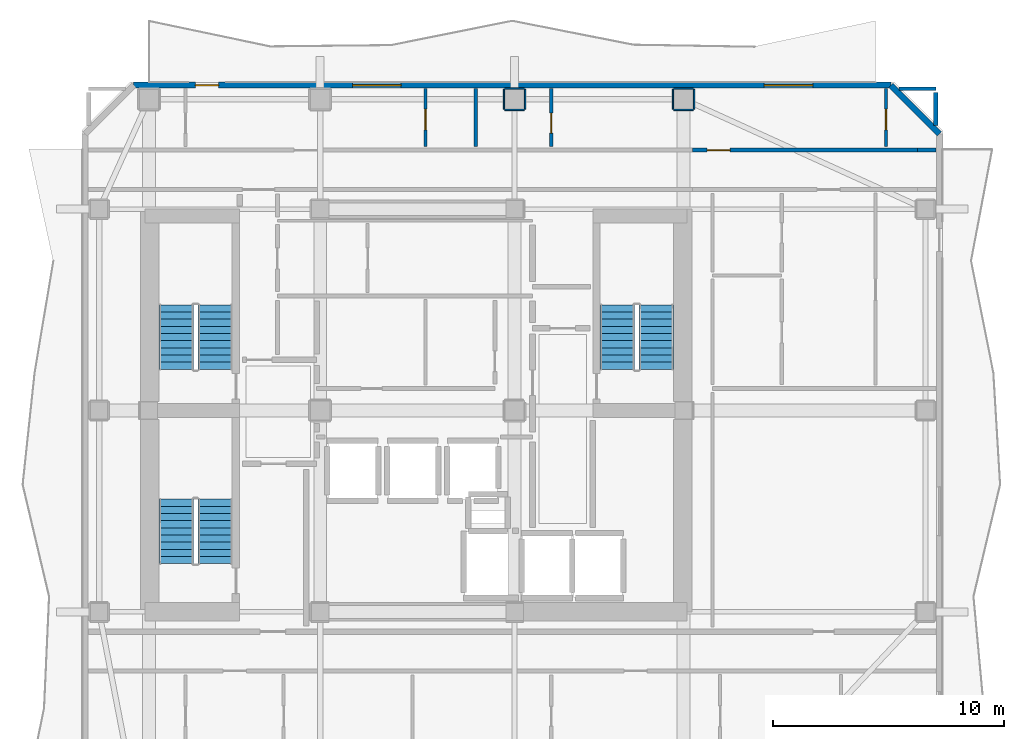
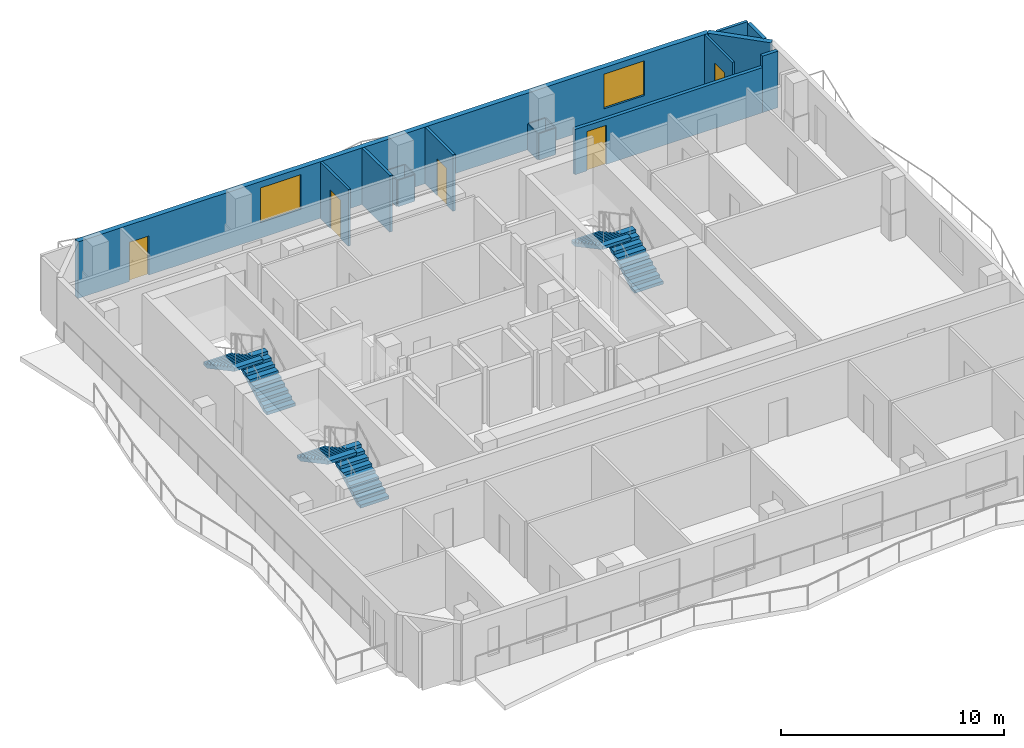
# One storey, part 6 of 9: 18 walls, 6 stair flights, 5 doors, 2 windows, 7 openings, 3 elements without a shape of their own.
"""IFC4 building model written with IfcOpenShell, lengths in metres."""

from ifc_helpers import new_model, si_unit, direction, frame, frame_2d, origin, place, context, subcontext, project, spatial, polyline, rectangle, outline, extrude, material, layer, layer_set, type_object, element, fill, aggregate, save


model = new_model("IFC4")

# Units and contexts
model_context = context("Model", 3, precision=1e-05, world=origin(), true_north=direction((0.0, 1.0)))
body_context = subcontext(model_context, "Body", "Model", "MODEL_VIEW")
ifc_project = project(units=[si_unit("LENGTHUNIT", "METRE"), si_unit("AREAUNIT", "SQUARE_METRE"), si_unit("VOLUMEUNIT", "CUBIC_METRE"), si_unit("PLANEANGLEUNIT", "RADIAN"), si_unit("MASSUNIT", "GRAM", prefix="KILO")], contexts=[model_context])

# Site, building, storey
site_placement = place(None, origin())
site = spatial("IfcSite", under=ifc_project, at=site_placement, CompositionType="ELEMENT")
building_placement = place(site_placement, origin())
building = spatial("IfcBuilding", under=site, at=building_placement, Name="Solanera Arch Residences", CompositionType="ELEMENT")
storey_placement = place(building_placement, frame((0.0, 0.0, 213.39990234375)))
storey = spatial("IfcBuildingStorey", under=building, at=storey_placement, Name="L62", CompositionType="ELEMENT", Elevation=213.39990234375)

# Walls
ifc_material_1 = material(Name="Fire-Rated Gypsum Stud Partition", Category="gypsum")
ifc_layer_1 = layer(ifc_material_1, 0.06005859375)
ifc_layer_set_1 = layer_set([ifc_layer_1], Name="Fire-Rated Gypsum Stud Partition")
wall_type_1 = type_object("IfcWallType", Name="Column Acoustic Furring Wall 60", PredefinedType="PARTITIONING", material=ifc_layer_set_1)
for number, where, z_axis, x_axis, name in (
    (1, (28.77490234375, 43.693115234375, 0.0), (0.0, 0.0, 1.0), (1.0, 0.0, 0.0), "L62 Column Furring 14S"),
    (2, (28.77490234375, 44.60693359375, 0.0), (0.0, 0.0, 1.0), (1.0, 0.0, 0.0), "L62 Column Furring 14N"),
):
    element("IfcWall", number, at=place(storey_placement, frame(where, z_axis=z_axis, x_axis=x_axis)), inside=storey, type_object=wall_type_1, Name=name, PredefinedType="PARTITIONING", context=body_context, shape_type="SweptSolid", body=[
        extrude(rectangle(XDim=0.85009765625, YDim=0.06005859375, at=frame_2d((0.425048828125, 0.0))), origin(), (0.0, 0.0, 1.0), 1.4501953125),
    ])
for number, where, z_axis, x_axis, name in (
    (3, (28.742919921875, 43.72509765625, 0.0), (0.0, 0.0, 1.0), (0.0, 1.0, 0.0), "L62 Column Furring 14W"),
    (4, (29.656982421875, 43.72509765625, 0.0), (0.0, 0.0, 1.0), (0.0, 1.0, 0.0), "L62 Column Furring 14E"),
):
    element("IfcWall", number, at=place(storey_placement, frame(where, z_axis=z_axis, x_axis=x_axis)), inside=storey, type_object=wall_type_1, Name=name, PredefinedType="PARTITIONING", context=body_context, shape_type="SweptSolid", body=[
        extrude(rectangle(XDim=0.849853515625, YDim=0.06005859375, at=frame_2d((0.4248046875, 0.0))), origin(), (0.0, 0.0, 1.0), 1.4501953125),
    ])
for number, where, z_axis, x_axis, name in (
    (5, (36.074951171875, 43.693115234375, 0.0), (0.0, 0.0, 1.0), (1.0, 0.0, 0.0), "L62 Column Furring 16S"),
    (6, (36.074951171875, 44.60693359375, 0.0), (0.0, 0.0, 1.0), (1.0, 0.0, 0.0), "L62 Column Furring 16N"),
):
    element("IfcWall", number, at=place(storey_placement, frame(where, z_axis=z_axis, x_axis=x_axis)), inside=storey, type_object=wall_type_1, Name=name, PredefinedType="PARTITIONING", context=body_context, shape_type="SweptSolid", body=[
        extrude(rectangle(XDim=0.85009765625, YDim=0.06005859375, at=frame_2d((0.425048828125, 0.0))), origin(), (0.0, 0.0, 1.0), 1.4501953125),
    ])
for number, where, z_axis, x_axis, name in (
    (7, (36.04296875, 43.72509765625, 0.0), (0.0, 0.0, 1.0), (0.0, 1.0, 0.0), "L62 Column Furring 16W"),
    (8, (36.95703125, 43.72509765625, 0.0), (0.0, 0.0, 1.0), (0.0, 1.0, 0.0), "L62 Column Furring 16E"),
):
    element("IfcWall", number, at=place(storey_placement, frame(where, z_axis=z_axis, x_axis=x_axis)), inside=storey, type_object=wall_type_1, Name=name, PredefinedType="PARTITIONING", context=body_context, shape_type="SweptSolid", body=[
        extrude(rectangle(XDim=0.849853515625, YDim=0.06005859375, at=frame_2d((0.4248046875, 0.0))), origin(), (0.0, 0.0, 1.0), 1.4501953125),
    ])

# Wall, opening, door
ifc_material_2 = material(Name="Autoclaved Aerated Concrete Blockwork", Category="masonry")
ifc_layer_2 = layer(ifc_material_2, 0.179931640625)
ifc_layer_set_2 = layer_set([ifc_layer_2], Name="Autoclaved Aerated Concrete Blockwork")
wall_type_2 = type_object("IfcWallType", Name="Corridor Fire Partition 180", PredefinedType="PARTITIONING", material=ifc_layer_set_2)
wall_1_placement = place(storey_placement, frame((36.888916015625, 41.949951171875, 0.0), z_axis=(0.0, 0.0, 1.0), x_axis=(1.0, 0.0, 0.0)))
wall_1 = element("IfcWall", 9, at=wall_1_placement, inside=storey, type_object=wall_type_2, Name="L62 Interior Partition H13 2", PredefinedType="PARTITIONING", context=body_context, shape_type="SweptSolid", body=[
    extrude(rectangle(XDim=9.72216796875, YDim=0.179931640625, at=frame_2d((4.861083984375, 0.0))), origin(), (0.0, 0.0, 1.0), 2.47705078125),
])
opening_1_placement = place(wall_1_placement, frame((0.6259765625, 0.0, 0.0)))
opening_1 = element("IfcOpeningElement", 10, at=opening_1_placement, cuts=wall_1, Name="Opening DI-01", PredefinedType="OPENING", context=body_context, shape_type="SweptSolid", body=[
    extrude(rectangle(XDim=1.0, YDim=2.14990234375, at=frame_2d((0.5, 1.074951171875))), frame((0.0, 0.10009765625, 0.0), z_axis=(0.0, -1.0, 0.0), x_axis=(1.0, 0.0, 0.0)), (0.0, 0.0, 1.0), 0.1999),
])
ifc_material_3 = material(Name="Fire-Rated Architectural Hardwood", Category="wood")
door_type_1 = type_object("IfcDoorType", Name="Unit Entrance Fire Door DI-01", OperationType="NOTDEFINED", PredefinedType="DOOR", material=ifc_material_3)
door_1_placement = place(opening_1_placement, origin())
door_1 = element("IfcDoor", 11, at=door_1_placement, inside=storey, type_object=door_type_1, Name="DR-L62-IN-029", OperationType="SINGLE_SWING_RIGHT", OverallHeight=2.14990234375, OverallWidth=1.0, PredefinedType="DOOR", context=body_context, shape_type="SweptSolid", body=[
    extrude(rectangle(XDim=1.0, YDim=2.14990234375, at=frame_2d((0.5, 1.074951171875))), frame((0.0, 0.02490234375, 0.0), z_axis=(0.0, -1.0, 0.0), x_axis=(1.0, 0.0, 0.0)), (0.0, 0.0, 1.0), 0.050048828125),
])
fill(opening_1, door_1)

# Walls
wall_2_placement = place(storey_placement, frame((46.611083984375, 41.949951171875, 0.0), z_axis=(0.0, 0.0, 1.0), x_axis=(1.0, 0.0, 0.0)))
element("IfcWall", 12, at=wall_2_placement, inside=storey, type_object=wall_type_2, Name="L62 Interior Partition H13 3", PredefinedType="PARTITIONING", context=body_context, shape_type="SweptSolid", body=[
    extrude(rectangle(XDim=0.802001953125, YDim=0.179931640625, at=frame_2d((0.40087890625, 0.0))), origin(), (0.0, 0.0, 1.0), 3.10009765625),
])
wall_3_placement = place(storey_placement, frame((47.39990234375, 43.010986328125, 0.0), z_axis=(0.0, 0.0, 1.0), x_axis=(0.0, 1.0, 0.0)))
element("IfcWall", 13, at=wall_3_placement, inside=storey, type_object=wall_type_2, Name="L62 Interior Partition V10 2", PredefinedType="PARTITIONING", context=body_context, shape_type="SweptSolid", body=[
    extrude(rectangle(XDim=1.4208984375, YDim=0.179931640625, at=frame_2d((0.71044921875, 0.0))), origin(), (0.0, 0.0, 1.0), 3.10009765625),
])

# Wall, openings, door, windows
ifc_material_4 = material(Name="Precast Concrete C35/45", Category="concrete")
ifc_layer_3 = layer(ifc_material_4, 0.260009765625)
ifc_layer_set_3 = layer_set([ifc_layer_3], Name="Precast Concrete C35/45")
wall_type_3 = type_object("IfcWallType", Name="Exterior Wall Precast Masonry-Frame 260", PredefinedType="STANDARD", material=ifc_layer_set_3)
wall_4_placement = place(storey_placement, frame((12.7451171875, 44.7548828125, 0.0), z_axis=(0.0, 0.0, 1.0), x_axis=(1.0, 0.0, 0.0)))
wall_4 = element("IfcWall", 14, at=wall_4_placement, inside=storey, type_object=wall_type_3, Name="L62 Tower Exterior Precast Masonry-Frame Wall N", PredefinedType="STANDARD", context=body_context, shape_type="SweptSolid", body=[
    extrude(rectangle(XDim=32.7099609375, YDim=0.260009765625, at=frame_2d((16.35498046875, 0.0))), origin(), (0.0, 0.0, 1.0), 3.10009765625),
])
opening_2_placement = place(wall_4_placement, frame((2.6650390625, 0.0, 0.0)))
opening_2 = element("IfcOpeningElement", 15, at=opening_2_placement, cuts=wall_4, Name="Opening DB-01", PredefinedType="OPENING", context=body_context, shape_type="SweptSolid", body=[
    extrude(rectangle(XDim=1.0, YDim=2.14990234375, at=frame_2d((0.5, 1.074951171875))), frame((0.0, 0.139892578125, 0.0), z_axis=(0.0, -1.0, 0.0), x_axis=(1.0, 0.0, 0.0)), (0.0, 0.0, 1.0), 0.28),
])
opening_3_placement = place(wall_4_placement, frame((9.452880859375, 0.0, 0.85009765625)))
opening_3 = element("IfcOpeningElement", 16, at=opening_3_placement, cuts=wall_4, Name="Opening W-04", PredefinedType="OPENING", context=body_context, shape_type="SweptSolid", body=[
    extrude(rectangle(XDim=2.10009765625, YDim=1.89990234375, at=frame_2d((1.050048828125, 0.949951171875))), frame((0.0, 0.139892578125, 0.0), z_axis=(0.0, -1.0, 0.0), x_axis=(1.0, 0.0, 0.0)), (0.0, 0.0, 1.0), 0.28),
])
opening_4_placement = place(wall_4_placement, frame((27.241943359375, 0.0, 0.85009765625)))
opening_4 = element("IfcOpeningElement", 17, at=opening_4_placement, cuts=wall_4, Name="Opening W-04", PredefinedType="OPENING", context=body_context, shape_type="SweptSolid", body=[
    extrude(rectangle(XDim=2.10009765625, YDim=1.89990234375, at=frame_2d((1.050048828125, 0.949951171875))), frame((0.0, 0.139892578125, 0.0), z_axis=(0.0, -1.0, 0.0), x_axis=(1.0, 0.0, 0.0)), (0.0, 0.0, 1.0), 0.28),
])
ifc_material_5 = material(Name="Anodised Aluminium Alloy 6063-T6", Category="aluminium")
door_type_2 = type_object("IfcDoorType", Name="Glazed Balcony Swing Door DB-01", OperationType="NOTDEFINED", PredefinedType="DOOR", material=ifc_material_5)
door_2_placement = place(opening_2_placement, origin())
door_2 = element("IfcDoor", 18, at=door_2_placement, inside=storey, type_object=door_type_2, Name="DR-L62-OUT-02", OperationType="SINGLE_SWING_LEFT", OverallHeight=2.14990234375, OverallWidth=1.0, PredefinedType="DOOR", context=body_context, shape_type="SweptSolid", body=[
    extrude(rectangle(XDim=1.0, YDim=2.14990234375, at=frame_2d((0.5, 1.074951171875))), frame((0.0, 0.02490234375, 0.0), z_axis=(0.0, -1.0, 0.0), x_axis=(1.0, 0.0, 0.0)), (0.0, 0.0, 1.0), 0.050048828125),
])
fill(opening_2, door_2)
ifc_material_6 = material(Name="Double Glazed Low-E Laminated Glass", Category="glass")
window_type = type_object("IfcWindowType", Name="Punched Window W-04", PartitioningType="DOUBLE_PANEL_VERTICAL", PredefinedType="WINDOW", material=ifc_material_6)
window_1_placement = place(opening_3_placement, origin())
window_1 = element("IfcWindow", 19, at=window_1_placement, inside=storey, type_object=window_type, Name="L62 6203-LIV Punched Window", OverallHeight=1.89990234375, OverallWidth=2.10009765625, PartitioningType="SINGLE_PANEL", PredefinedType="WINDOW", context=body_context, shape_type="SweptSolid", body=[
    extrude(rectangle(XDim=2.10009765625, YDim=1.89990234375, at=frame_2d((1.050048828125, 0.949951171875))), frame((0.0, 0.030029296875, 0.0), z_axis=(0.0, -1.0, 0.0), x_axis=(1.0, 0.0, 0.0)), (0.0, 0.0, 1.0), 0.06005859375),
])
fill(opening_3, window_1)
window_2_placement = place(opening_4_placement, origin())
window_2 = element("IfcWindow", 20, at=window_2_placement, inside=storey, type_object=window_type, Name="L62 6204-LIV Punched Window", OverallHeight=1.89990234375, OverallWidth=2.10009765625, PartitioningType="SINGLE_PANEL", PredefinedType="WINDOW", context=body_context, shape_type="SweptSolid", body=[
    extrude(rectangle(XDim=2.10009765625, YDim=1.89990234375, at=frame_2d((1.050048828125, 0.949951171875))), frame((0.0, 0.030029296875, 0.0), z_axis=(0.0, -1.0, 0.0), x_axis=(1.0, 0.0, 0.0)), (0.0, 0.0, 1.0), 0.06005859375),
])
fill(opening_4, window_2)

# Wall
wall_5_placement = place(storey_placement, frame((45.455078125, 44.7548828125, 0.0), z_axis=(0.0, 0.0, 1.0), x_axis=(0.707106781187, -0.707106781187, 0.0)))
element("IfcWall", 21, at=wall_5_placement, inside=storey, type_object=wall_type_3, Name="L62 Tower Exterior Precast Masonry-Frame Wall CH3", PredefinedType="STANDARD", context=body_context, shape_type="SweptSolid", body=[
    extrude(rectangle(XDim=2.9697265625, YDim=0.260009765625, at=frame_2d((1.48486328125, 0.0))), origin(), (0.0, 0.0, 1.0), 3.10009765625),
])

# Wall, opening, door
ifc_material_7 = material(Name="Fire-Rated Gypsum Stud Partition", Category="gypsum")
ifc_layer_4 = layer(ifc_material_7, 0.1201171875)
ifc_layer_set_4 = layer_set([ifc_layer_4], Name="Fire-Rated Gypsum Stud Partition")
wall_type_4 = type_object("IfcWallType", Name="Unit Drywall Partition 120", PredefinedType="PARTITIONING", material=ifc_layer_set_4)
wall_6_placement = place(storey_placement, frame((25.35009765625, 42.10791015625, 0.0), z_axis=(0.0, 0.0, 1.0), x_axis=(0.0, 1.0, 0.0)))
wall_6 = element("IfcWall", 22, at=wall_6_placement, inside=storey, type_object=wall_type_4, Name="L62 Interior Partition V22", PredefinedType="PARTITIONING", context=body_context, shape_type="SweptSolid", body=[
    extrude(rectangle(XDim=2.505126953125, YDim=0.1201171875, at=frame_2d((1.25244140625, 0.0))), origin(), (0.0, 0.0, 1.0), 3.10009765625),
])
opening_5_placement = place(wall_6_placement, frame((0.717041015625, 0.0, 0.0)))
opening_5 = element("IfcOpeningElement", 23, at=opening_5_placement, cuts=wall_6, Name="Opening DI-02", PredefinedType="OPENING", context=body_context, shape_type="SweptSolid", body=[
    extrude(rectangle(XDim=0.89990234375, YDim=2.10009765625, at=frame_2d((0.449951171875, 1.050048828125))), frame((0.0, 0.070068359375, 0.0), z_axis=(0.0, -1.0, 0.0), x_axis=(1.0, 0.0, 0.0)), (0.0, 0.0, 1.0), 0.1401),
])
ifc_material_8 = material(Name="Fire-Rated Architectural Hardwood", Category="wood")
door_type_3 = type_object("IfcDoorType", Name="Suite Room Swing Door DI-02", OperationType="NOTDEFINED", PredefinedType="DOOR", material=ifc_material_8)
door_3_placement = place(opening_5_placement, origin())
door_3 = element("IfcDoor", 24, at=door_3_placement, inside=storey, type_object=door_type_3, Name="DR-L62-IN-028", OperationType="SINGLE_SWING_LEFT", OverallHeight=2.10009765625, OverallWidth=0.89990234375, PredefinedType="DOOR", context=body_context, shape_type="SweptSolid", body=[
    extrude(rectangle(XDim=0.89990234375, YDim=2.10009765625, at=frame_2d((0.449951171875, 1.050048828125))), frame((0.0, 0.02490234375, 0.0), z_axis=(0.0, -1.0, 0.0), x_axis=(1.0, 0.0, 0.0)), (0.0, 0.0, 1.0), 0.050048828125),
])
fill(opening_5, door_3)

wall_7_placement = place(storey_placement, frame((45.25, 42.10791015625, 0.0), z_axis=(0.0, 0.0, 1.0), x_axis=(0.0, 1.0, 0.0)))
wall_7 = element("IfcWall", 25, at=wall_7_placement, inside=storey, type_object=wall_type_4, Name="L62 Interior Partition V26", PredefinedType="PARTITIONING", context=body_context, shape_type="SweptSolid", body=[
    extrude(rectangle(XDim=2.505126953125, YDim=0.1201171875, at=frame_2d((1.25244140625, 0.0))), origin(), (0.0, 0.0, 1.0), 3.10009765625),
])
opening_6_placement = place(wall_7_placement, frame((0.717041015625, 0.0, 0.0)))
opening_6 = element("IfcOpeningElement", 26, at=opening_6_placement, cuts=wall_7, Name="Opening DI-02", PredefinedType="OPENING", context=body_context, shape_type="SweptSolid", body=[
    extrude(rectangle(XDim=0.89990234375, YDim=2.10009765625, at=frame_2d((0.449951171875, 1.050048828125))), frame((0.0, 0.070068359375, 0.0), z_axis=(0.0, -1.0, 0.0), x_axis=(1.0, 0.0, 0.0)), (0.0, 0.0, 1.0), 0.1401),
])
door_4_placement = place(opening_6_placement, origin())
door_4 = element("IfcDoor", 27, at=door_4_placement, inside=storey, type_object=door_type_3, Name="DR-L62-IN-031", OperationType="SINGLE_SWING_RIGHT", OverallHeight=2.10009765625, OverallWidth=0.89990234375, PredefinedType="DOOR", context=body_context, shape_type="SweptSolid", body=[
    extrude(rectangle(XDim=0.89990234375, YDim=2.10009765625, at=frame_2d((0.449951171875, 1.050048828125))), frame((0.0, 0.02490234375, 0.0), z_axis=(0.0, -1.0, 0.0), x_axis=(1.0, 0.0, 0.0)), (0.0, 0.0, 1.0), 0.050048828125),
])
fill(opening_6, door_4)

# Walls
ifc_material_9 = material(Name="Autoclaved Aerated Concrete Blockwork", Category="masonry")
ifc_layer_5 = layer(ifc_material_9, 0.139892578125)
ifc_layer_set_5 = layer_set([ifc_layer_5], Name="Autoclaved Aerated Concrete Blockwork")
wall_type_5 = type_object("IfcWallType", Name="Wet-Room Partition 140", PredefinedType="PARTITIONING", material=ifc_layer_set_5)
wall_8_placement = place(storey_placement, frame((45.81103515625, 44.60009765625, 0.0), z_axis=(0.0, 0.0, 1.0), x_axis=(1.0, 0.0, 0.0)))
element("IfcWall", 28, at=wall_8_placement, inside=storey, type_object=wall_type_5, Name="L62 Interior Partition H18 2", PredefinedType="PARTITIONING", context=body_context, shape_type="SweptSolid", body=[
    extrude(rectangle(XDim=1.5888671875, YDim=0.139892578125, at=frame_2d((0.79443359375, 0.0))), origin(), (0.0, 0.0, 1.0), 3.10009765625),
])
wall_9_placement = place(storey_placement, frame((27.52001953125, 42.117919921875, 0.0), z_axis=(0.0, 0.0, 1.0), x_axis=(0.0, 1.0, 0.0)))
element("IfcWall", 29, at=wall_9_placement, inside=storey, type_object=wall_type_5, Name="L62 Interior Partition V14", PredefinedType="PARTITIONING", context=body_context, shape_type="SweptSolid", body=[
    extrude(rectangle(XDim=2.4951171875, YDim=0.139892578125, at=frame_2d((1.24755859375, 0.0))), origin(), (0.0, 0.0, 1.0), 3.10009765625),
])

# Wall, opening, door
wall_10_placement = place(storey_placement, frame((30.780029296875, 42.117919921875, 0.0), z_axis=(0.0, 0.0, 1.0), x_axis=(0.0, 1.0, 0.0)))
wall_10 = element("IfcWall", 30, at=wall_10_placement, inside=storey, type_object=wall_type_5, Name="L62 Interior Partition V16", PredefinedType="PARTITIONING", context=body_context, shape_type="SweptSolid", body=[
    extrude(rectangle(XDim=2.4951171875, YDim=0.139892578125, at=frame_2d((1.24755859375, 0.0))), origin(), (0.0, 0.0, 1.0), 3.10009765625),
])
opening_7_placement = place(wall_10_placement, frame((0.56689453125, 0.0, 0.0)))
opening_7 = element("IfcOpeningElement", 31, at=opening_7_placement, cuts=wall_10, Name="Opening DI-05", PredefinedType="OPENING", context=body_context, shape_type="SweptSolid", body=[
    extrude(rectangle(XDim=0.860107421875, YDim=2.02001953125, at=frame_2d((0.43017578125, 1.010009765625))), frame((0.0, 0.079833984375, 0.0), z_axis=(0.0, -1.0, 0.0), x_axis=(1.0, 0.0, 0.0)), (0.0, 0.0, 1.0), 0.1599),
])
ifc_material_10 = material(Name="Fire-Rated Architectural Hardwood", Category="wood")
door_type_4 = type_object("IfcDoorType", Name="Bathroom Swing Door DI-05", OperationType="NOTDEFINED", PredefinedType="DOOR", material=ifc_material_10)
door_5_placement = place(opening_7_placement, origin())
door_5 = element("IfcDoor", 32, at=door_5_placement, inside=storey, type_object=door_type_4, Name="DR-L62-IN-030", OperationType="SINGLE_SWING_LEFT", OverallHeight=2.02001953125, OverallWidth=0.860107421875, PredefinedType="DOOR", context=body_context, shape_type="SweptSolid", body=[
    extrude(rectangle(XDim=0.860107421875, YDim=2.02001953125, at=frame_2d((0.43017578125, 1.010009765625))), frame((0.0, 0.02490234375, 0.0), z_axis=(0.0, -1.0, 0.0), x_axis=(1.0, 0.0, 0.0)), (0.0, 0.0, 1.0), 0.050048828125),
])
fill(opening_7, door_5)

# Stair, stair flights
ifc_material_11 = material(Name="Concrete C40/50 (f'c = 45 MPa)", Category="concrete")
stair_type = type_object("IfcStairType", Name="Tower Dogleg Exit Stair 1480", PredefinedType="HALF_TURN_STAIR", material=ifc_material_11)
stair_1_placement = place(storey_placement, origin())
stair_1 = element("IfcStair", 33, at=stair_1_placement, inside=storey, type_object=stair_type, Name="L62 Tower Core Exit Stair 1", PredefinedType="HALF_TURN_STAIR")
ifc_material_12 = material(Name="Concrete C40/50 (f'c = 45 MPa)", Category="concrete")
stair_flight_type = type_object("IfcStairFlightType", Name="Tower Precast Stair Flight 1480", PredefinedType="STRAIGHT", material=ifc_material_12)
stair_flight_1_placement = place(storey_placement, frame((16.260009765625, 32.47998046875, 0.0), z_axis=(0.0, 0.0, 1.0), x_axis=(0.0, 1.0, 0.0)))
stair_flight_1 = element("IfcStairFlight", 34, at=stair_flight_1_placement, type_object=stair_flight_type, Name="ST-T1 flight 1", NumberOfRisers=10, NumberOfTreads=9, PredefinedType="STRAIGHT", RiserHeight=0.166, TreadLength=0.31, context=body_context, shape_type="SweptSolid", body=[
    extrude(outline(polyline([(0.0, 0.0), (0.0, 0.166015625), (0.31005859375, 0.166015625), (0.31005859375, 0.33203125), (0.6201171875, 0.33203125), (0.6201171875, 0.498046875), (0.929931640625, 0.498046875), (0.929931640625, 0.6640625), (1.239990234375, 0.6640625), (1.239990234375, 0.830078125), (1.550048828125, 0.830078125), (1.550048828125, 0.99609375), (1.860107421875, 0.99609375), (1.860107421875, 1.162109375), (2.169921875, 1.162109375), (2.169921875, 1.327880859375), (2.47998046875, 1.327880859375), (2.47998046875, 1.493896484375), (2.7900390625, 1.493896484375), (2.7900390625, 1.659912109375), (2.7900390625, 1.323974609375), (0.317626953125, 0.0), (0.0, 0.0)])), frame((0.0, 0.739990234375, 0.0), z_axis=(0.0, -1.0, 0.0), x_axis=(1.0, 0.0, 0.0)), (0.0, 0.0, 1.0), 1.47998046875),
])
stair_flight_2_placement = place(storey_placement, frame((14.580078125, 35.27001953125, 1.66015625), z_axis=(0.0, 0.0, 1.0), x_axis=(0.0, -1.0, 0.0)))
stair_flight_2 = element("IfcStairFlight", 35, at=stair_flight_2_placement, type_object=stair_flight_type, Name="ST-T1 flight 2", NumberOfRisers=10, NumberOfTreads=9, PredefinedType="STRAIGHT", RiserHeight=0.166, TreadLength=0.31, context=body_context, shape_type="SweptSolid", body=[
    extrude(outline(polyline([(0.0, 0.0), (0.0, 0.166015625), (0.31005859375, 0.166015625), (0.31005859375, 0.33203125), (0.6201171875, 0.33203125), (0.6201171875, 0.498046875), (0.929931640625, 0.498046875), (0.929931640625, 0.6640625), (1.239990234375, 0.6640625), (1.239990234375, 0.830078125), (1.550048828125, 0.830078125), (1.550048828125, 0.99609375), (1.860107421875, 0.99609375), (1.860107421875, 1.162109375), (2.169921875, 1.162109375), (2.169921875, 1.327880859375), (2.47998046875, 1.327880859375), (2.47998046875, 1.493896484375), (2.7900390625, 1.493896484375), (2.7900390625, 1.659912109375), (2.7900390625, 1.323974609375), (0.317626953125, 0.0), (0.0, 0.0)])), frame((0.0, 0.739990234375, 0.0), z_axis=(0.0, -1.0, 0.0), x_axis=(1.0, 0.0, 0.0)), (0.0, 0.0, 1.0), 1.47998046875),
])
aggregate(stair_1, [stair_flight_1, stair_flight_2])

stair_2_placement = place(storey_placement, origin())
stair_2 = element("IfcStair", 36, at=stair_2_placement, inside=storey, type_object=stair_type, Name="L62 Tower Core Exit Stair 2", PredefinedType="HALF_TURN_STAIR")
stair_flight_3_placement = place(storey_placement, frame((35.320068359375, 32.47998046875, 0.0), z_axis=(0.0, 0.0, 1.0), x_axis=(0.0, 1.0, 0.0)))
stair_flight_3 = element("IfcStairFlight", 37, at=stair_flight_3_placement, type_object=stair_flight_type, Name="ST-T2 flight 1", NumberOfRisers=10, NumberOfTreads=9, PredefinedType="STRAIGHT", RiserHeight=0.166, TreadLength=0.31, context=body_context, shape_type="SweptSolid", body=[
    extrude(outline(polyline([(0.0, 0.0), (0.0, 0.166015625), (0.31005859375, 0.166015625), (0.31005859375, 0.33203125), (0.6201171875, 0.33203125), (0.6201171875, 0.498046875), (0.929931640625, 0.498046875), (0.929931640625, 0.6640625), (1.239990234375, 0.6640625), (1.239990234375, 0.830078125), (1.550048828125, 0.830078125), (1.550048828125, 0.99609375), (1.860107421875, 0.99609375), (1.860107421875, 1.162109375), (2.169921875, 1.162109375), (2.169921875, 1.327880859375), (2.47998046875, 1.327880859375), (2.47998046875, 1.493896484375), (2.7900390625, 1.493896484375), (2.7900390625, 1.659912109375), (2.7900390625, 1.323974609375), (0.317626953125, 0.0), (0.0, 0.0)])), frame((0.0, 0.739990234375, 0.0), z_axis=(0.0, -1.0, 0.0), x_axis=(1.0, 0.0, 0.0)), (0.0, 0.0, 1.0), 1.47998046875),
])
stair_flight_4_placement = place(storey_placement, frame((33.639892578125, 35.27001953125, 1.66015625), z_axis=(0.0, 0.0, 1.0), x_axis=(0.0, -1.0, 0.0)))
stair_flight_4 = element("IfcStairFlight", 38, at=stair_flight_4_placement, type_object=stair_flight_type, Name="ST-T2 flight 2", NumberOfRisers=10, NumberOfTreads=9, PredefinedType="STRAIGHT", RiserHeight=0.166, TreadLength=0.31, context=body_context, shape_type="SweptSolid", body=[
    extrude(outline(polyline([(0.0, 0.0), (0.0, 0.166015625), (0.31005859375, 0.166015625), (0.31005859375, 0.33203125), (0.6201171875, 0.33203125), (0.6201171875, 0.498046875), (0.929931640625, 0.498046875), (0.929931640625, 0.6640625), (1.239990234375, 0.6640625), (1.239990234375, 0.830078125), (1.550048828125, 0.830078125), (1.550048828125, 0.99609375), (1.860107421875, 0.99609375), (1.860107421875, 1.162109375), (2.169921875, 1.162109375), (2.169921875, 1.327880859375), (2.47998046875, 1.327880859375), (2.47998046875, 1.493896484375), (2.7900390625, 1.493896484375), (2.7900390625, 1.659912109375), (2.7900390625, 1.323974609375), (0.317626953125, 0.0), (0.0, 0.0)])), frame((0.0, 0.739990234375, 0.0), z_axis=(0.0, -1.0, 0.0), x_axis=(1.0, 0.0, 0.0)), (0.0, 0.0, 1.0), 1.47998046875),
])
aggregate(stair_2, [stair_flight_3, stair_flight_4])

stair_3_placement = place(storey_placement, origin())
stair_3 = element("IfcStair", 39, at=stair_3_placement, inside=storey, type_object=stair_type, Name="L62 Tower Core Exit Stair 3", PredefinedType="HALF_TURN_STAIR")
stair_flight_5_placement = place(storey_placement, frame((16.260009765625, 24.080078125, 0.0), z_axis=(0.0, 0.0, 1.0), x_axis=(0.0, 1.0, 0.0)))
stair_flight_5 = element("IfcStairFlight", 40, at=stair_flight_5_placement, type_object=stair_flight_type, Name="ST-T3 flight 1", NumberOfRisers=10, NumberOfTreads=9, PredefinedType="STRAIGHT", RiserHeight=0.166, TreadLength=0.31, context=body_context, shape_type="SweptSolid", body=[
    extrude(outline(polyline([(0.0, 0.0), (0.0, 0.166015625), (0.31005859375, 0.166015625), (0.31005859375, 0.33203125), (0.6201171875, 0.33203125), (0.6201171875, 0.498046875), (0.929931640625, 0.498046875), (0.929931640625, 0.6640625), (1.239990234375, 0.6640625), (1.239990234375, 0.830078125), (1.550048828125, 0.830078125), (1.550048828125, 0.99609375), (1.860107421875, 0.99609375), (1.860107421875, 1.162109375), (2.169921875, 1.162109375), (2.169921875, 1.327880859375), (2.47998046875, 1.327880859375), (2.47998046875, 1.493896484375), (2.7900390625, 1.493896484375), (2.7900390625, 1.659912109375), (2.7900390625, 1.323974609375), (0.317626953125, 0.0), (0.0, 0.0)])), frame((0.0, 0.739990234375, 0.0), z_axis=(0.0, -1.0, 0.0), x_axis=(1.0, 0.0, 0.0)), (0.0, 0.0, 1.0), 1.47998046875),
])
stair_flight_6_placement = place(storey_placement, frame((14.580078125, 26.8701171875, 1.66015625), z_axis=(0.0, 0.0, 1.0), x_axis=(0.0, -1.0, 0.0)))
stair_flight_6 = element("IfcStairFlight", 41, at=stair_flight_6_placement, type_object=stair_flight_type, Name="ST-T3 flight 2", NumberOfRisers=10, NumberOfTreads=9, PredefinedType="STRAIGHT", RiserHeight=0.166, TreadLength=0.31, context=body_context, shape_type="SweptSolid", body=[
    extrude(outline(polyline([(0.0, 0.0), (0.0, 0.166015625), (0.31005859375, 0.166015625), (0.31005859375, 0.33203125), (0.6201171875, 0.33203125), (0.6201171875, 0.498046875), (0.929931640625, 0.498046875), (0.929931640625, 0.6640625), (1.239990234375, 0.6640625), (1.239990234375, 0.830078125), (1.550048828125, 0.830078125), (1.550048828125, 0.99609375), (1.860107421875, 0.99609375), (1.860107421875, 1.162109375), (2.169921875, 1.162109375), (2.169921875, 1.327880859375), (2.47998046875, 1.327880859375), (2.47998046875, 1.493896484375), (2.7900390625, 1.493896484375), (2.7900390625, 1.659912109375), (2.7900390625, 1.323974609375), (0.317626953125, 0.0), (0.0, 0.0)])), frame((0.0, 0.739990234375, 0.0), z_axis=(0.0, -1.0, 0.0), x_axis=(1.0, 0.0, 0.0)), (0.0, 0.0, 1.0), 1.47998046875),
])
aggregate(stair_3, [stair_flight_5, stair_flight_6])

save(model, "model.ifc")
